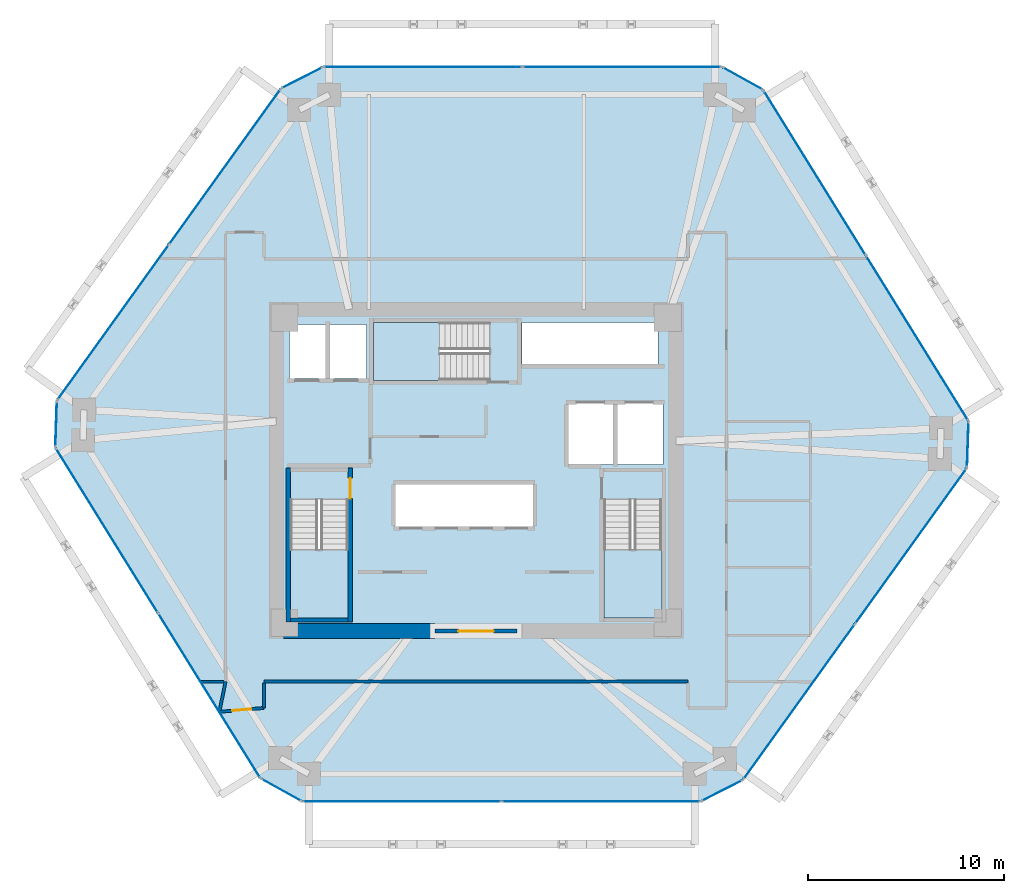
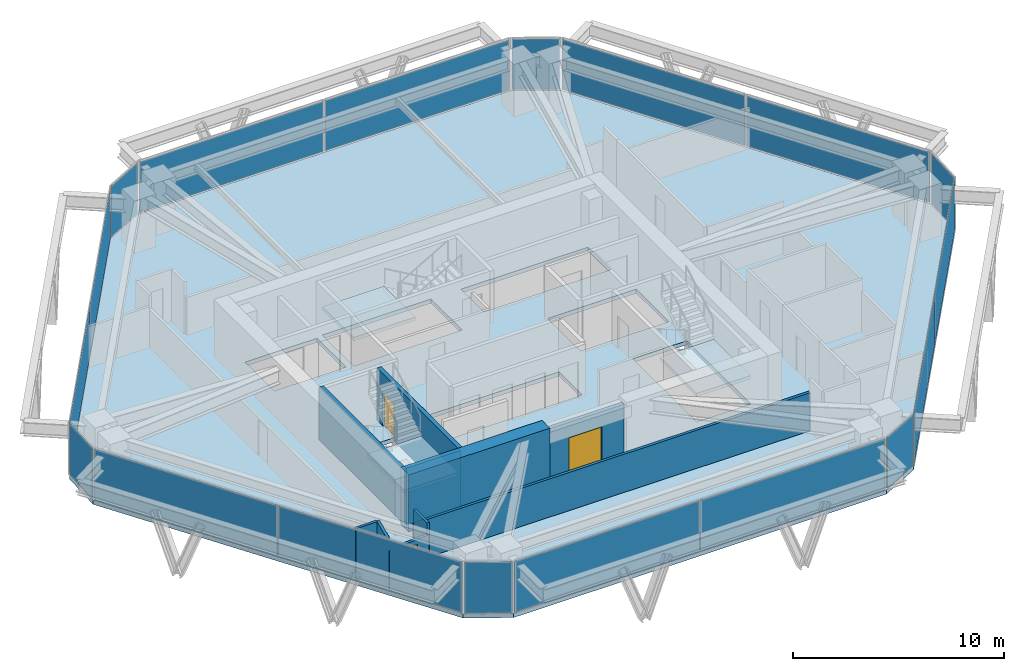
# One storey, part 9 of 13: 18 plates, 10 walls, 4 slabs, 3 doors, 3 openings, 15 elements without a shape of their own.
"""IFC4 building model written with IfcOpenShell, lengths in metres."""

from ifc_helpers import new_model, si_unit, direction, frame, frame_2d, origin, origin_2d, place, context, subcontext, project, spatial, polyline, rectangle, outline, extrude, source, transform, mapped, material, layer, layer_set, type_object, type_shapes, element, fill, aggregate, save


model = new_model("IFC4")

# Units and contexts
model_context = context("Model", 3, precision=1e-05, world=origin(), true_north=direction((0.0, 1.0)))
body_context = subcontext(model_context, "Body", "Model", "MODEL_VIEW")
ifc_project = project(units=[si_unit("LENGTHUNIT", "METRE"), si_unit("AREAUNIT", "SQUARE_METRE"), si_unit("VOLUMEUNIT", "CUBIC_METRE"), si_unit("PLANEANGLEUNIT", "RADIAN"), si_unit("MASSUNIT", "GRAM", prefix="KILO")], contexts=[model_context])

# Site, building, storey
site_placement = place(None, origin())
site = spatial("IfcSite", under=ifc_project, at=site_placement, CompositionType="ELEMENT")
building_placement = place(site_placement, origin())
building = spatial("IfcBuilding", under=site, at=building_placement, Name="Durnholm Broadcast Tower", CompositionType="ELEMENT")
storey_placement = place(building_placement, frame((0.0, 0.0, 100.800048828125)))
storey = spatial("IfcBuildingStorey", under=building, at=storey_placement, Name="L26", CompositionType="ELEMENT", Elevation=100.800048828125)

# Slab
ifc_material_1 = material(Name="Concrete C50/60", Category="concrete")
ifc_layer_1 = layer(ifc_material_1, 0.239990234375)
ifc_layer_set_1 = layer_set([ifc_layer_1], Name="Concrete C50/60")
slab_type_1 = type_object("IfcSlabType", Name="SLAB-FLR-240", PredefinedType="FLOOR", material=ifc_layer_set_1)
slab_1_placement = place(storey_placement, frame((0.0, 0.0, -0.239990234375)))
element("IfcSlab", 1, at=slab_1_placement, inside=storey, type_object=slab_type_1, Name="L26 structural floor slab", PredefinedType="FLOOR", context=body_context, shape_type="SweptSolid", body=[
    extrude(outline(polyline([(-11.012451171875, -15.77001953125), (-8.915283203125, -16.93701171875), (11.51416015625, -16.93701171875), (13.649658203125, -15.841796875), (25.11279296875, 0.114990234375), (25.1943359375, 2.513671875), (14.6904296875, 19.447998046875), (12.59326171875, 20.614990234375), (-7.836181640625, 20.614990234375), (-9.9716796875, 19.519775390625), (-21.434814453125, 3.56298828125), (-21.516357421875, 1.164306640625), (-11.012451171875, -15.77001953125)]), holes=[polyline([(-6.5400390625, -1.5), (-9.5, -1.5), (-9.5, -7.550048828125), (-6.5400390625, -7.550048828125), (-6.5400390625, -1.5)]), polyline([(9.5, -7.550048828125), (9.5, -1.5), (6.5400390625, -1.5), (6.5400390625, -7.550048828125), (9.5, -7.550048828125)]), polyline([(2.949951171875, -0.699951171875), (-4.14990234375, -0.699951171875), (-4.14990234375, -2.89990234375), (2.949951171875, -2.89990234375), (2.949951171875, -0.699951171875)]), polyline([(9.550048828125, 3.39990234375), (4.699951171875, 3.39990234375), (4.699951171875, 0.300048828125), (9.550048828125, 0.300048828125), (9.550048828125, 3.39990234375)]), polyline([(-5.60009765625, 7.449951171875), (-9.550048828125, 7.449951171875), (-9.550048828125, 4.699951171875), (-5.60009765625, 4.699951171875), (-5.60009765625, 7.449951171875)]), polyline([(-5.25, 4.60009765625), (0.699951171875, 4.60009765625), (0.699951171875, 7.56005859375), (-5.25, 7.56005859375), (-5.25, 4.60009765625)]), polyline([(9.31005859375, 7.550048828125), (2.35009765625, 7.550048828125), (2.35009765625, 5.39990234375), (9.31005859375, 5.39990234375), (9.31005859375, 7.550048828125)])]), origin(), (0.0, 0.0, 1.0), 0.239990234375),
])

# Stair, slab
stair_type = type_object("IfcStairType", Name="STAIR-DL-20R1650", PredefinedType="HALF_TURN_STAIR", material=ifc_material_1)
stair_1_placement = place(storey_placement, origin())
stair_1 = element("IfcStair", 2, at=stair_1_placement, inside=storey, type_object=stair_type, Name="L26 ST-1", PredefinedType="HALF_TURN_STAIR")
ifc_layer_2 = layer(ifc_material_1, 0.199951171875)
ifc_layer_set_2 = layer_set([ifc_layer_2], Name="Concrete C50/60")
slab_type_2 = type_object("IfcSlabType", Name="SLAB-LND-200", PredefinedType="LANDING", material=ifc_layer_set_2)
slab_2_placement = place(storey_placement, frame((0.0, 0.0, 1.449951171875)))
slab_2 = element("IfcSlab", 3, at=slab_2_placement, type_object=slab_type_2, Name="ST-1 landing 1", PredefinedType="LANDING", context=body_context, shape_type="SweptSolid", body=[
    extrude(outline(polyline([(-9.5, -4.06494140625), (-9.5, -7.550048828125), (-6.5400390625, -7.550048828125), (-6.5400390625, -4.06494140625), (-9.5, -4.06494140625)])), origin(), (0.0, 0.0, 1.0), 0.199951171875),
])
aggregate(stair_1, [slab_2])

stair_2_placement = place(storey_placement, origin())
stair_2 = element("IfcStair", 4, at=stair_2_placement, inside=storey, type_object=stair_type, Name="L26 ST-2", PredefinedType="HALF_TURN_STAIR")
slab_3_placement = place(storey_placement, frame((0.0, 0.0, 1.449951171875)))
slab_3 = element("IfcSlab", 5, at=slab_3_placement, type_object=slab_type_2, Name="ST-2 landing 1", PredefinedType="LANDING", context=body_context, shape_type="SweptSolid", body=[
    extrude(outline(polyline([(6.5400390625, -4.06494140625), (6.5400390625, -7.550048828125), (9.5, -7.550048828125), (9.5, -4.06494140625), (6.5400390625, -4.06494140625)])), origin(), (0.0, 0.0, 1.0), 0.199951171875),
])
aggregate(stair_2, [slab_3])

stair_3_placement = place(storey_placement, origin())
stair_3 = element("IfcStair", 6, at=stair_3_placement, inside=storey, type_object=stair_type, Name="L26 ST-3", PredefinedType="HALF_TURN_STAIR")
slab_4_placement = place(storey_placement, frame((0.0, 0.0, 1.449951171875)))
slab_4 = element("IfcSlab", 7, at=slab_4_placement, type_object=slab_type_2, Name="ST-3 landing 1", PredefinedType="LANDING", context=body_context, shape_type="SweptSolid", body=[
    extrude(outline(polyline([(-1.864990234375, 7.56005859375), (-5.25, 7.56005859375), (-5.25, 4.60009765625), (-1.864990234375, 4.60009765625), (-1.864990234375, 7.56005859375)])), origin(), (0.0, 0.0, 1.0), 0.199951171875),
])
aggregate(stair_3, [slab_4])

# Curtain wall, plate
ifc_material_2 = material(Name="Aluminium and Solar Control IGU", Category="aluminium")
ifc_layer_3 = layer(ifc_material_2, 0.1650390625)
ifc_layer_set_3 = layer_set([ifc_layer_3], Name="Aluminium and Solar Control IGU")
curtain_wall_type_1 = type_object("IfcCurtainWallType", Name="CW-SYS-5", PredefinedType="NOTDEFINED", material=ifc_layer_set_3)
curtain_wall_1_placement = place(storey_placement, origin())
curtain_wall_1 = element("IfcCurtainWall", 8, at=curtain_wall_1_placement, inside=storey, type_object=curtain_wall_type_1, Name="L26 curtain wall CW-CORNER CW-L26-CRN-01", PredefinedType="NOTDEFINED")
ifc_material_3 = material(Name="Low-E Laminated Insulating Glass", Category="glass")
ifc_layer_4 = layer(ifc_material_3, 0.030029296875)
ifc_layer_set_4 = layer_set([ifc_layer_4], Name="Low-E Laminated Insulating Glass")
plate_type_1 = type_object("IfcPlateType", Name="CW-SYS-5-PNL", PredefinedType="CURTAIN_PANEL", material=ifc_layer_set_4)
shared_shape_1 = source(origin(), body_context, "Body", "SweptSolid", [
    extrude(rectangle(XDim=2.27001953125, YDim=0.030029296875, at=origin_2d()), origin(), (0.0, 0.0, 1.0), 2.929931640625),
])
type_shapes(plate_type_1, [shared_shape_1])
plate_1_placement = place(storey_placement, frame((-21.4755859375, 2.36376953125, 0.06494140625), z_axis=(0.0, 0.0, 1.0), x_axis=(0.033916937775, 0.999424655155, 0.0)))
plate_1 = element("IfcPlate", 9, at=plate_1_placement, type_object=plate_type_1, Name="CW-CORNER panel 1.1", PredefinedType="CURTAIN_PANEL", context=body_context, shape_type="MappedRepresentation", body=[
    mapped(shared_shape_1, transform((0.0, 0.0, 0.0), x_axis=(1.0, 0.0, 0.0), y_axis=(0.0, 1.0, 0.0), z_axis=(0.0, 0.0, 1.0), scale=1.0)),
])
aggregate(curtain_wall_1, [plate_1])

curtain_wall_2_placement = place(storey_placement, origin())
curtain_wall_2 = element("IfcCurtainWall", 10, at=curtain_wall_2_placement, inside=storey, type_object=curtain_wall_type_1, Name="L26 curtain wall CW-CORNER CW-L26-CRN-03", PredefinedType="NOTDEFINED")
plate_2_placement = place(storey_placement, frame((-8.904052734375, 20.0673828125, 0.06494140625), z_axis=(0.0, 0.0, 1.0), x_axis=(0.889788396392, 0.45637332267, 0.0)))
plate_2 = element("IfcPlate", 11, at=plate_2_placement, type_object=plate_type_1, Name="CW-CORNER panel 1.1", PredefinedType="CURTAIN_PANEL", context=body_context, shape_type="MappedRepresentation", body=[
    mapped(shared_shape_1, transform((0.0, 0.0, 0.0), x_axis=(1.0, 0.0, 0.0), y_axis=(0.0, 1.0, 0.0), z_axis=(0.0, 0.0, 1.0), scale=1.0)),
])
aggregate(curtain_wall_2, [plate_2])

curtain_wall_3_placement = place(storey_placement, origin())
curtain_wall_3 = element("IfcCurtainWall", 12, at=curtain_wall_3_placement, inside=storey, type_object=curtain_wall_type_1, Name="L26 curtain wall CW-CORNER CW-L26-CRN-05", PredefinedType="NOTDEFINED")
plate_3_placement = place(storey_placement, frame((13.641845703125, 20.031494140625, 0.06494140625), z_axis=(0.0, 0.0, 1.0), x_axis=(0.873822953715, -0.486244224192, 0.0)))
plate_3 = element("IfcPlate", 13, at=plate_3_placement, type_object=plate_type_1, Name="CW-CORNER panel 1.1", PredefinedType="CURTAIN_PANEL", context=body_context, shape_type="MappedRepresentation", body=[
    mapped(shared_shape_1, transform((0.0, 0.0, 0.0), x_axis=(1.0, 0.0, 0.0), y_axis=(0.0, 1.0, 0.0), z_axis=(0.0, 0.0, 1.0), scale=1.0)),
])
aggregate(curtain_wall_3, [plate_3])

curtain_wall_4_placement = place(storey_placement, origin())
curtain_wall_4 = element("IfcCurtainWall", 14, at=curtain_wall_4_placement, inside=storey, type_object=curtain_wall_type_1, Name="L26 curtain wall CW-CORNER CW-L26-CRN-07", PredefinedType="NOTDEFINED")
plate_4_placement = place(storey_placement, frame((25.153564453125, 1.314208984375, 0.06494140625), z_axis=(0.0, 0.0, 1.0), x_axis=(-0.033916937775, -0.999424655155, 0.0)))
plate_4 = element("IfcPlate", 15, at=plate_4_placement, type_object=plate_type_1, Name="CW-CORNER panel 1.1", PredefinedType="CURTAIN_PANEL", context=body_context, shape_type="MappedRepresentation", body=[
    mapped(shared_shape_1, transform((0.0, 0.0, 0.0), x_axis=(1.0, 0.0, 0.0), y_axis=(0.0, 1.0, 0.0), z_axis=(0.0, 0.0, 1.0), scale=1.0)),
])
aggregate(curtain_wall_4, [plate_4])

curtain_wall_5_placement = place(storey_placement, origin())
curtain_wall_5 = element("IfcCurtainWall", 16, at=curtain_wall_5_placement, inside=storey, type_object=curtain_wall_type_1, Name="L26 curtain wall CW-CORNER CW-L26-CRN-09", PredefinedType="NOTDEFINED")
plate_5_placement = place(storey_placement, frame((12.58203125, -16.389404296875, 0.06494140625), z_axis=(0.0, 0.0, 1.0), x_axis=(-0.889788396392, -0.45637332267, 0.0)))
plate_5 = element("IfcPlate", 17, at=plate_5_placement, type_object=plate_type_1, Name="CW-CORNER panel 1.1", PredefinedType="CURTAIN_PANEL", context=body_context, shape_type="MappedRepresentation", body=[
    mapped(shared_shape_1, transform((0.0, 0.0, 0.0), x_axis=(1.0, 0.0, 0.0), y_axis=(0.0, 1.0, 0.0), z_axis=(0.0, 0.0, 1.0), scale=1.0)),
])
aggregate(curtain_wall_5, [plate_5])

curtain_wall_6_placement = place(storey_placement, origin())
curtain_wall_6 = element("IfcCurtainWall", 18, at=curtain_wall_6_placement, inside=storey, type_object=curtain_wall_type_1, Name="L26 curtain wall CW-CORNER CW-L26-CRN-11", PredefinedType="NOTDEFINED")
plate_6_placement = place(storey_placement, frame((-9.9638671875, -16.353515625, 0.06494140625), z_axis=(0.0, 0.0, 1.0), x_axis=(-0.873822953715, 0.486244224192, 0.0)))
plate_6 = element("IfcPlate", 19, at=plate_6_placement, type_object=plate_type_1, Name="CW-CORNER panel 1.1", PredefinedType="CURTAIN_PANEL", context=body_context, shape_type="MappedRepresentation", body=[
    mapped(shared_shape_1, transform((0.0, 0.0, 0.0), x_axis=(1.0, 0.0, 0.0), y_axis=(0.0, 1.0, 0.0), z_axis=(0.0, 0.0, 1.0), scale=1.0)),
])
aggregate(curtain_wall_6, [plate_6])

# Curtain wall, plates
ifc_layer_5 = layer(ifc_material_2, 0.18994140625)
ifc_layer_set_5 = layer_set([ifc_layer_5], Name="Aluminium and Solar Control IGU")
curtain_wall_type_2 = type_object("IfcCurtainWallType", Name="CW-SYS-3", PredefinedType="NOTDEFINED", material=ifc_layer_set_5)
curtain_wall_7_placement = place(storey_placement, origin())
curtain_wall_7 = element("IfcCurtainWall", 20, at=curtain_wall_7_placement, inside=storey, type_object=curtain_wall_type_2, Name="L26 curtain wall CW-Z12-VIS CW-L26-F02", PredefinedType="NOTDEFINED")
ifc_layer_6 = layer(ifc_material_3, 0.031982421875)
ifc_layer_set_6 = layer_set([ifc_layer_6], Name="Low-E Laminated Insulating Glass")
plate_type_2 = type_object("IfcPlateType", Name="CW-SYS-3-PNL", PredefinedType="CURTAIN_PANEL", material=ifc_layer_set_6)
shared_shape_2 = source(origin(), body_context, "Body", "SweptSolid", [
    extrude(rectangle(XDim=9.71875, YDim=0.031982421875, at=origin_2d()), origin(), (0.0, 0.0, 1.0), 2.919921875),
])
plate_7_placement = place(storey_placement, frame((-18.558837890625, 7.56640625, 0.070068359375), z_axis=(0.0, 0.0, 1.0), x_axis=(0.583445473786, 0.812152312759, 0.0)))
plate_7 = element("IfcPlate", 21, at=plate_7_placement, type_object=plate_type_2, Name="CW-Z12-VIS panel 1.1", PredefinedType="CURTAIN_PANEL", context=body_context, shape_type="MappedRepresentation", body=[
    mapped(shared_shape_2, transform((0.0, 0.0, 0.0), x_axis=(1.0, 0.0, 0.0), y_axis=(0.0, 1.0, 0.0), z_axis=(0.0, 0.0, 1.0), scale=1.0)),
])
plate_8_placement = place(storey_placement, frame((-12.84765625, 15.516357421875, 0.070068359375), z_axis=(0.0, 0.0, 1.0), x_axis=(0.583445473786, 0.812152312759, 0.0)))
plate_8 = element("IfcPlate", 22, at=plate_8_placement, type_object=plate_type_2, Name="CW-Z12-VIS panel 2.1", PredefinedType="CURTAIN_PANEL", context=body_context, shape_type="MappedRepresentation", body=[
    mapped(shared_shape_2, transform((0.0, 0.0, 0.0), x_axis=(1.0, 0.0, 0.0), y_axis=(0.0, 1.0, 0.0), z_axis=(0.0, 0.0, 1.0), scale=1.0)),
])
aggregate(curtain_wall_7, [plate_7, plate_8])

curtain_wall_8_placement = place(storey_placement, origin())
curtain_wall_8 = element("IfcCurtainWall", 23, at=curtain_wall_8_placement, inside=storey, type_object=curtain_wall_type_2, Name="L26 curtain wall CW-Z12-VIS CW-L26-F08", PredefinedType="NOTDEFINED")
plate_9_placement = place(storey_placement, frame((22.23681640625, -3.888427734375, 0.070068359375), z_axis=(0.0, 0.0, 1.0), x_axis=(-0.583445473786, -0.812152312759, 0.0)))
plate_9 = element("IfcPlate", 24, at=plate_9_placement, type_object=plate_type_2, Name="CW-Z12-VIS panel 1.1", PredefinedType="CURTAIN_PANEL", context=body_context, shape_type="MappedRepresentation", body=[
    mapped(shared_shape_2, transform((0.0, 0.0, 0.0), x_axis=(1.0, 0.0, 0.0), y_axis=(0.0, 1.0, 0.0), z_axis=(0.0, 0.0, 1.0), scale=1.0)),
])
plate_10_placement = place(storey_placement, frame((16.525634765625, -11.83837890625, 0.070068359375), z_axis=(0.0, 0.0, 1.0), x_axis=(-0.583445473786, -0.812152312759, 0.0)))
plate_10 = element("IfcPlate", 25, at=plate_10_placement, type_object=plate_type_2, Name="CW-Z12-VIS panel 2.1", PredefinedType="CURTAIN_PANEL", context=body_context, shape_type="MappedRepresentation", body=[
    mapped(shared_shape_2, transform((0.0, 0.0, 0.0), x_axis=(1.0, 0.0, 0.0), y_axis=(0.0, 1.0, 0.0), z_axis=(0.0, 0.0, 1.0), scale=1.0)),
])
aggregate(curtain_wall_8, [plate_9, plate_10])

curtain_wall_9_placement = place(storey_placement, origin())
curtain_wall_9 = element("IfcCurtainWall", 26, at=curtain_wall_9_placement, inside=storey, type_object=curtain_wall_type_2, Name="L26 curtain wall CW-Z12-VIS CW-L26-F04", PredefinedType="NOTDEFINED")
shared_shape_3 = source(origin(), body_context, "Body", "SweptSolid", [
    extrude(rectangle(XDim=10.109619140625, YDim=0.031982421875, at=origin_2d()), origin(), (0.0, 0.0, 1.0), 2.919921875),
])
plate_11_placement = place(storey_placement, frame((-2.71142578125, 20.614990234375, 0.070068359375), z_axis=(0.0, 0.0, 1.0), x_axis=(1.0, 0.0, 0.0)))
plate_11 = element("IfcPlate", 27, at=plate_11_placement, type_object=plate_type_2, Name="CW-Z12-VIS panel 1.1", PredefinedType="CURTAIN_PANEL", context=body_context, shape_type="MappedRepresentation", body=[
    mapped(shared_shape_3, transform((0.0, 0.0, 0.0), x_axis=(1.0, 0.0, 0.0), y_axis=(0.0, 1.0, 0.0), z_axis=(0.0, 0.0, 1.0), scale=1.0)),
])
plate_12_placement = place(storey_placement, frame((7.46826171875, 20.614990234375, 0.070068359375), z_axis=(0.0, 0.0, 1.0), x_axis=(1.0, 0.0, 0.0)))
plate_12 = element("IfcPlate", 28, at=plate_12_placement, type_object=plate_type_2, Name="CW-Z12-VIS panel 2.1", PredefinedType="CURTAIN_PANEL", context=body_context, shape_type="MappedRepresentation", body=[
    mapped(shared_shape_3, transform((0.0, 0.0, 0.0), x_axis=(1.0, 0.0, 0.0), y_axis=(0.0, 1.0, 0.0), z_axis=(0.0, 0.0, 1.0), scale=1.0)),
])
aggregate(curtain_wall_9, [plate_11, plate_12])

curtain_wall_10_placement = place(storey_placement, origin())
curtain_wall_10 = element("IfcCurtainWall", 29, at=curtain_wall_10_placement, inside=storey, type_object=curtain_wall_type_2, Name="L26 curtain wall CW-Z12-VIS CW-L26-F10", PredefinedType="NOTDEFINED")
plate_13_placement = place(storey_placement, frame((6.389404296875, -16.93701171875, 0.070068359375), z_axis=(0.0, 0.0, 1.0), x_axis=(-1.0, 0.0, 0.0)))
plate_13 = element("IfcPlate", 30, at=plate_13_placement, type_object=plate_type_2, Name="CW-Z12-VIS panel 1.1", PredefinedType="CURTAIN_PANEL", context=body_context, shape_type="MappedRepresentation", body=[
    mapped(shared_shape_3, transform((0.0, 0.0, 0.0), x_axis=(1.0, 0.0, 0.0), y_axis=(0.0, 1.0, 0.0), z_axis=(0.0, 0.0, 1.0), scale=1.0)),
])
plate_14_placement = place(storey_placement, frame((-3.790283203125, -16.93701171875, 0.070068359375), z_axis=(0.0, 0.0, 1.0), x_axis=(-1.0, 0.0, 0.0)))
plate_14 = element("IfcPlate", 31, at=plate_14_placement, type_object=plate_type_2, Name="CW-Z12-VIS panel 2.1", PredefinedType="CURTAIN_PANEL", context=body_context, shape_type="MappedRepresentation", body=[
    mapped(shared_shape_3, transform((0.0, 0.0, 0.0), x_axis=(1.0, 0.0, 0.0), y_axis=(0.0, 1.0, 0.0), z_axis=(0.0, 0.0, 1.0), scale=1.0)),
])
aggregate(curtain_wall_10, [plate_13, plate_14])

curtain_wall_11_placement = place(storey_placement, origin())
curtain_wall_11 = element("IfcCurtainWall", 32, at=curtain_wall_11_placement, inside=storey, type_object=curtain_wall_type_2, Name="L26 curtain wall CW-Z12-VIS CW-L26-F06", PredefinedType="NOTDEFINED")
shared_shape_4 = source(origin(), body_context, "Body", "SweptSolid", [
    extrude(rectangle(XDim=9.858642578125, YDim=0.031982421875, at=origin_2d()), origin(), (0.0, 0.0, 1.0), 2.919921875),
])
type_shapes(plate_type_2, [shared_shape_2, shared_shape_3, shared_shape_4])
plate_15_placement = place(storey_placement, frame((17.32568359375, 15.199462890625, 0.070068359375), z_axis=(0.0, 0.0, 1.0), x_axis=(0.527105385176, -0.849799925229, 0.0)))
plate_15 = element("IfcPlate", 33, at=plate_15_placement, type_object=plate_type_2, Name="CW-Z12-VIS panel 1.1", PredefinedType="CURTAIN_PANEL", context=body_context, shape_type="MappedRepresentation", body=[
    mapped(shared_shape_4, transform((0.0, 0.0, 0.0), x_axis=(1.0, 0.0, 0.0), y_axis=(0.0, 1.0, 0.0), z_axis=(0.0, 0.0, 1.0), scale=1.0)),
])
plate_16_placement = place(storey_placement, frame((22.55908203125, 6.761962890625, 0.070068359375), z_axis=(0.0, 0.0, 1.0), x_axis=(0.527105385176, -0.849799925229, 0.0)))
plate_16 = element("IfcPlate", 34, at=plate_16_placement, type_object=plate_type_2, Name="CW-Z12-VIS panel 2.1", PredefinedType="CURTAIN_PANEL", context=body_context, shape_type="MappedRepresentation", body=[
    mapped(shared_shape_4, transform((0.0, 0.0, 0.0), x_axis=(1.0, 0.0, 0.0), y_axis=(0.0, 1.0, 0.0), z_axis=(0.0, 0.0, 1.0), scale=1.0)),
])
aggregate(curtain_wall_11, [plate_15, plate_16])

curtain_wall_12_placement = place(storey_placement, origin())
curtain_wall_12 = element("IfcCurtainWall", 35, at=curtain_wall_12_placement, inside=storey, type_object=curtain_wall_type_2, Name="L26 curtain wall CW-Z12-VIS CW-L26-F12", PredefinedType="NOTDEFINED")
plate_17_placement = place(storey_placement, frame((-13.647705078125, -11.521484375, 0.070068359375), z_axis=(0.0, 0.0, 1.0), x_axis=(-0.527105385176, 0.849799925229, 0.0)))
plate_17 = element("IfcPlate", 36, at=plate_17_placement, type_object=plate_type_2, Name="CW-Z12-VIS panel 1.1", PredefinedType="CURTAIN_PANEL", context=body_context, shape_type="MappedRepresentation", body=[
    mapped(shared_shape_4, transform((0.0, 0.0, 0.0), x_axis=(1.0, 0.0, 0.0), y_axis=(0.0, 1.0, 0.0), z_axis=(0.0, 0.0, 1.0), scale=1.0)),
])
plate_18_placement = place(storey_placement, frame((-18.881103515625, -3.083984375, 0.070068359375), z_axis=(0.0, 0.0, 1.0), x_axis=(-0.527105385176, 0.849799925229, 0.0)))
plate_18 = element("IfcPlate", 37, at=plate_18_placement, type_object=plate_type_2, Name="CW-Z12-VIS panel 2.1", PredefinedType="CURTAIN_PANEL", context=body_context, shape_type="MappedRepresentation", body=[
    mapped(shared_shape_4, transform((0.0, 0.0, 0.0), x_axis=(1.0, 0.0, 0.0), y_axis=(0.0, 1.0, 0.0), z_axis=(0.0, 0.0, 1.0), scale=1.0)),
])
aggregate(curtain_wall_12, [plate_17, plate_18])

# Wall
ifc_material_4 = material(Name="Concrete C70/85", Category="concrete")
ifc_layer_7 = layer(ifc_material_4, 0.75)
ifc_layer_set_7 = layer_set([ifc_layer_7], Name="Concrete C70/85")
wall_type_1 = type_object("IfcWallType", Name="WALL-CW-750", PredefinedType="SHEAR", material=ifc_layer_set_7)
wall_1_placement = place(storey_placement, frame((-9.85009765625, -8.22509765625, 0.0), z_axis=(0.0, 0.0, 1.0), x_axis=(1.0, 0.0, 0.0)))
element("IfcWall", 38, at=wall_1_placement, inside=storey, type_object=wall_type_1, Name="L26 central core shear wall CW-S1", PredefinedType="SHEAR", context=body_context, shape_type="SweptSolid", body=[
    extrude(rectangle(XDim=7.75, YDim=0.75, at=frame_2d((3.875, 0.0))), origin(), (0.0, 0.0, 1.0), 3.300048828125),
])

# Wall, opening, door
ifc_material_5 = material(Name="Fire-Rated Gypsum Shaftwall", Category="concrete")
ifc_layer_8 = layer(ifc_material_5, 0.199951171875)
ifc_layer_set_8 = layer_set([ifc_layer_8], Name="Fire-Rated Gypsum Shaftwall")
wall_type_2 = type_object("IfcWallType", Name="WALL-LOB-200", PredefinedType="SOLIDWALL", material=ifc_layer_set_8)
wall_2_placement = place(storey_placement, frame((-2.10009765625, -8.22509765625, 0.0), z_axis=(0.0, 0.0, 1.0), x_axis=(1.0, 0.0, 0.0)))
wall_2 = element("IfcWall", 39, at=wall_2_placement, inside=storey, type_object=wall_type_2, Name="L26 south core lobby fire screen", PredefinedType="SOLIDWALL", context=body_context, shape_type="SweptSolid", body=[
    extrude(rectangle(XDim=4.2001953125, YDim=0.199951171875, at=frame_2d((2.10009765625, 0.0))), origin(), (0.0, 0.0, 1.0), 3.044921875),
])
opening_1_placement = place(wall_2_placement, frame((1.199951171875, 0.0, 0.0)))
opening_1 = element("IfcOpeningElement", 40, at=opening_1_placement, cuts=wall_2, Name="Opening DP-60", PredefinedType="OPENING", context=body_context, shape_type="SweptSolid", body=[
    extrude(rectangle(XDim=1.800048828125, YDim=2.14990234375, at=frame_2d((0.89990234375, 1.074951171875))), frame((0.0, 0.10986328125, 0.0), z_axis=(0.0, -1.0, 0.0), x_axis=(1.0, 0.0, 0.0)), (0.0, 0.0, 1.0), 0.219970703125),
])
ifc_material_6 = material(Name="Fire-Rated Double Corridor Door", Category="steel")
ifc_layer_9 = layer(ifc_material_6, 0.050048828125)
ifc_layer_set_9 = layer_set([ifc_layer_9], Name="Fire-Rated Double Corridor Door")
door_type_1 = type_object("IfcDoorType", Name="DOOR-PAIR-FD60", OperationType="DOUBLE_DOOR_SINGLE_SWING", PredefinedType="DOOR", material=ifc_layer_set_9)
shared_shape_5 = source(origin(), body_context, "Body", "SweptSolid", [
    extrude(rectangle(XDim=1.800048828125, YDim=2.14990234375, at=frame_2d((0.89990234375, 1.074951171875))), frame((0.0, 0.02490234375, 0.0), z_axis=(0.0, -1.0, 0.0), x_axis=(1.0, 0.0, 0.0)), (0.0, 0.0, 1.0), 0.050048828125),
])
type_shapes(door_type_1, [shared_shape_5])
door_1_placement = place(opening_1_placement, origin())
door_1 = element("IfcDoor", 41, at=door_1_placement, inside=storey, type_object=door_type_1, Name="L26 south core lobby double fire door", OperationType="DOUBLE_DOOR_SINGLE_SWING", OverallHeight=2.14990234375, OverallWidth=1.800048828125, PredefinedType="DOOR", context=body_context, shape_type="MappedRepresentation", body=[
    mapped(shared_shape_5, transform((0.0, 0.0, 0.0), x_axis=(1.0, 0.0, 0.0), y_axis=(0.0, 1.0, 0.0), z_axis=(0.0, 0.0, 1.0), scale=1.0)),
])
fill(opening_1, door_1)

# Walls
ifc_material_7 = material(Name="Gypsum Metal Stud Partition", Category="concrete")
ifc_layer_10 = layer(ifc_material_7, 0.135009765625)
ifc_layer_set_10 = layer_set([ifc_layer_10], Name="Gypsum Metal Stud Partition")
wall_type_3 = type_object("IfcWallType", Name="WALL-PART-135", PredefinedType="PARTITIONING", material=ifc_layer_set_10)
wall_3_placement = place(storey_placement, frame((-14.075927734375, -10.8310546875, 0.0), z_axis=(0.0, 0.0, 1.0), x_axis=(0.999860796611, 0.016684945308, 0.0)))
element("IfcWall", 42, at=wall_3_placement, inside=storey, type_object=wall_type_3, Name="L26 room dividing partition 8.9", PredefinedType="PARTITIONING", context=body_context, shape_type="SweptSolid", body=[
    extrude(rectangle(XDim=1.185302734375, YDim=0.135009765625, at=frame_2d((0.5927734375, 0.0))), origin(), (0.0, 0.0, 1.0), 3.044921875),
])
ifc_material_8 = material(Name="Acoustic Gypsum Stud Partition", Category="concrete")
ifc_layer_11 = layer(ifc_material_8, 0.14990234375)
ifc_layer_set_11 = layer_set([ifc_layer_11], Name="Acoustic Gypsum Stud Partition")
wall_type_4 = type_object("IfcWallType", Name="WALL-PART-150", PredefinedType="PARTITIONING", material=ifc_layer_set_11)
wall_4_placement = place(storey_placement, frame((-10.840087890625, -10.81005859375, 0.0), z_axis=(0.0, 0.0, 1.0), x_axis=(1.0, 0.0, 0.0)))
element("IfcWall", 43, at=wall_4_placement, inside=storey, type_object=wall_type_4, Name="L26 Open Plan Broadcast Workspace 3 corridor partition", PredefinedType="PARTITIONING", context=body_context, shape_type="SweptSolid", body=[
    extrude(rectangle(XDim=21.68017578125, YDim=0.14990234375, at=frame_2d((10.840087890625, 0.0))), origin(), (0.0, 0.0, 1.0), 2.212158203125),
])

# Wall, opening, door
wall_5_placement = place(storey_placement, frame((-13.12890625, -12.35791015625, 0.0), z_axis=(0.0, 0.0, 1.0), x_axis=(0.996279168698, 0.086184789953, 0.0)))
wall_5 = element("IfcWall", 44, at=wall_5_placement, inside=storey, type_object=wall_type_4, Name="L26 Open Plan Broadcast Workspace 3 corridor partition", PredefinedType="PARTITIONING", context=body_context, shape_type="SweptSolid", body=[
    extrude(rectangle(XDim=2.29736328125, YDim=0.14990234375, at=frame_2d((1.148681640625, 0.0))), origin(), (0.0, 0.0, 1.0), 2.3798828125),
])
opening_2_placement = place(wall_5_placement, frame((0.673583984375, 0.0, 0.0)))
opening_2 = element("IfcOpeningElement", 45, at=opening_2_placement, cuts=wall_5, Name="Opening DR-95R", PredefinedType="OPENING", context=body_context, shape_type="SweptSolid", body=[
    extrude(rectangle(XDim=0.949951171875, YDim=2.10009765625, at=frame_2d((0.47509765625, 1.050048828125))), frame((0.0, 0.0849609375, 0.0), z_axis=(0.0, -1.0, 0.0), x_axis=(1.0, 0.0, 0.0)), (0.0, 0.0, 1.0), 0.169921875),
])
ifc_material_9 = material(Name="Acoustic Oak Veneer Timber Door", Category="wood")
ifc_layer_12 = layer(ifc_material_9, 0.050048828125)
ifc_layer_set_12 = layer_set([ifc_layer_12], Name="Acoustic Oak Veneer Timber Door")
door_type_2 = type_object("IfcDoorType", Name="DOOR-RM-950R", OperationType="NOTDEFINED", PredefinedType="DOOR", material=ifc_layer_set_12)
shared_shape_6 = source(origin(), body_context, "Body", "SweptSolid", [
    extrude(rectangle(XDim=0.949951171875, YDim=2.10009765625, at=frame_2d((0.47509765625, 1.050048828125))), frame((0.0, 0.02490234375, 0.0), z_axis=(0.0, -1.0, 0.0), x_axis=(1.0, 0.0, 0.0)), (0.0, 0.0, 1.0), 0.050048828125),
])
type_shapes(door_type_2, [shared_shape_6])
door_2_placement = place(opening_2_placement, origin())
door_2 = element("IfcDoor", 46, at=door_2_placement, inside=storey, type_object=door_type_2, Name="L26 Open Plan Broadcast Workspace 3 entrance door", OperationType="SINGLE_SWING_RIGHT", OverallHeight=2.10009765625, OverallWidth=0.949951171875, PredefinedType="DOOR", context=body_context, shape_type="MappedRepresentation", body=[
    mapped(shared_shape_6, transform((0.0, 0.0, 0.0), x_axis=(1.0, 0.0, 0.0), y_axis=(0.0, 1.0, 0.0), z_axis=(0.0, 0.0, 1.0), scale=1.0)),
])
fill(opening_2, door_2)

# Walls
wall_6_placement = place(storey_placement, frame((-12.81005859375, -10.81005859375, 0.0), z_axis=(0.0, 0.0, 1.0), x_axis=(-0.201786289638, -0.979429575474, 0.0)))
element("IfcWall", 47, at=wall_6_placement, inside=storey, type_object=wall_type_4, Name="L26 Open Plan Broadcast Workspace 3 corridor partition", PredefinedType="PARTITIONING", context=body_context, shape_type="SweptSolid", body=[
    extrude(rectangle(XDim=1.497802734375, YDim=0.14990234375, at=frame_2d((0.7490234375, 0.0))), origin(), (0.0, 0.0, 1.0), 3.044921875),
])
wall_7_placement = place(storey_placement, frame((-10.840087890625, -12.159912109375, 0.0), z_axis=(0.0, 0.0, 1.0), x_axis=(0.0, 1.0, 0.0)))
element("IfcWall", 48, at=wall_7_placement, inside=storey, type_object=wall_type_4, Name="L26 Open Plan Broadcast Workspace 3 corridor partition", PredefinedType="PARTITIONING", context=body_context, shape_type="SweptSolid", body=[
    extrude(rectangle(XDim=1.27099609375, YDim=0.14990234375, at=frame_2d((0.635498046875, 0.0))), origin(), (0.0, 0.0, 1.0), 3.044921875),
])

# Wall, opening, door
ifc_layer_13 = layer(ifc_material_1, 0.219970703125)
ifc_layer_set_13 = layer_set([ifc_layer_13], Name="Concrete C50/60")
wall_type_5 = type_object("IfcWallType", Name="WALL-SW-220", PredefinedType="SHEAR", material=ifc_layer_set_13)
wall_8_placement = place(storey_placement, frame((-6.429931640625, -7.77001953125, -0.239990234375), z_axis=(0.0, 0.0, 1.0), x_axis=(0.0, 1.0, 0.0)))
wall_8 = element("IfcWall", 49, at=wall_8_placement, inside=storey, type_object=wall_type_5, Name="L26 stair ST-1 structural shaft wall E", PredefinedType="SHEAR", context=body_context, shape_type="SweptSolid", body=[
    extrude(rectangle(XDim=7.89013671875, YDim=0.219970703125, at=frame_2d((3.945068359375, 0.0))), origin(), (0.0, 0.0, 1.0), 3.300048828125),
])
opening_3_placement = place(wall_8_placement, frame((6.320068359375, 0.0, 0.0)))
opening_3 = element("IfcOpeningElement", 50, at=opening_3_placement, cuts=wall_8, Name="Opening DS-90L", PredefinedType="OPENING", context=body_context, shape_type="SweptSolid", body=[
    extrude(rectangle(XDim=1.050048828125, YDim=2.14990234375, at=frame_2d((0.52490234375, 1.074951171875))), frame((0.0, 0.1201171875, 0.0), z_axis=(0.0, -1.0, 0.0), x_axis=(1.0, 0.0, 0.0)), (0.0, 0.0, 1.0), 0.239990234375),
])
ifc_material_10 = material(Name="Fire-Rated Steel Door", Category="steel")
ifc_layer_14 = layer(ifc_material_10, 0.050048828125)
ifc_layer_set_14 = layer_set([ifc_layer_14], Name="Fire-Rated Steel Door")
door_type_3 = type_object("IfcDoorType", Name="DOOR-ST-FD90-L", OperationType="NOTDEFINED", PredefinedType="DOOR", material=ifc_layer_set_14)
shared_shape_7 = source(origin(), body_context, "Body", "SweptSolid", [
    extrude(rectangle(XDim=1.050048828125, YDim=2.14990234375, at=frame_2d((0.52490234375, 1.074951171875))), frame((0.0, 0.02490234375, 0.0), z_axis=(0.0, -1.0, 0.0), x_axis=(1.0, 0.0, 0.0)), (0.0, 0.0, 1.0), 0.050048828125),
])
type_shapes(door_type_3, [shared_shape_7])
door_3_placement = place(opening_3_placement, origin())
door_3 = element("IfcDoor", 51, at=door_3_placement, inside=storey, type_object=door_type_3, Name="L26 exit stair ST-1 fire door", OperationType="SINGLE_SWING_LEFT", OverallHeight=2.14990234375, OverallWidth=1.050048828125, PredefinedType="DOOR", context=body_context, shape_type="MappedRepresentation", body=[
    mapped(shared_shape_7, transform((0.0, 0.0, 0.0), x_axis=(1.0, 0.0, 0.0), y_axis=(0.0, 1.0, 0.0), z_axis=(0.0, 0.0, 1.0), scale=1.0)),
])
fill(opening_3, door_3)

# Walls
wall_9_placement = place(storey_placement, frame((-9.610107421875, 0.1201171875, -0.239990234375), z_axis=(0.0, 0.0, 1.0), x_axis=(0.0, -1.0, 0.0)))
element("IfcWall", 52, at=wall_9_placement, inside=storey, type_object=wall_type_5, Name="L26 stair ST-1 structural shaft wall W", PredefinedType="SHEAR", context=body_context, shape_type="SweptSolid", body=[
    extrude(rectangle(XDim=7.89013671875, YDim=0.219970703125, at=frame_2d((3.945068359375, 0.0))), origin(), (0.0, 0.0, 1.0), 3.300048828125),
])
wall_10_placement = place(storey_placement, frame((-9.5, -7.659912109375, -0.239990234375), z_axis=(0.0, 0.0, 1.0), x_axis=(1.0, 0.0, 0.0)))
element("IfcWall", 53, at=wall_10_placement, inside=storey, type_object=wall_type_5, Name="L26 stair ST-1 structural shaft wall S", PredefinedType="SHEAR", context=body_context, shape_type="SweptSolid", body=[
    extrude(rectangle(XDim=2.9599609375, YDim=0.219970703125, at=frame_2d((1.47998046875, 0.0))), origin(), (0.0, 0.0, 1.0), 3.300048828125),
])

save(model, "model.ifc")
